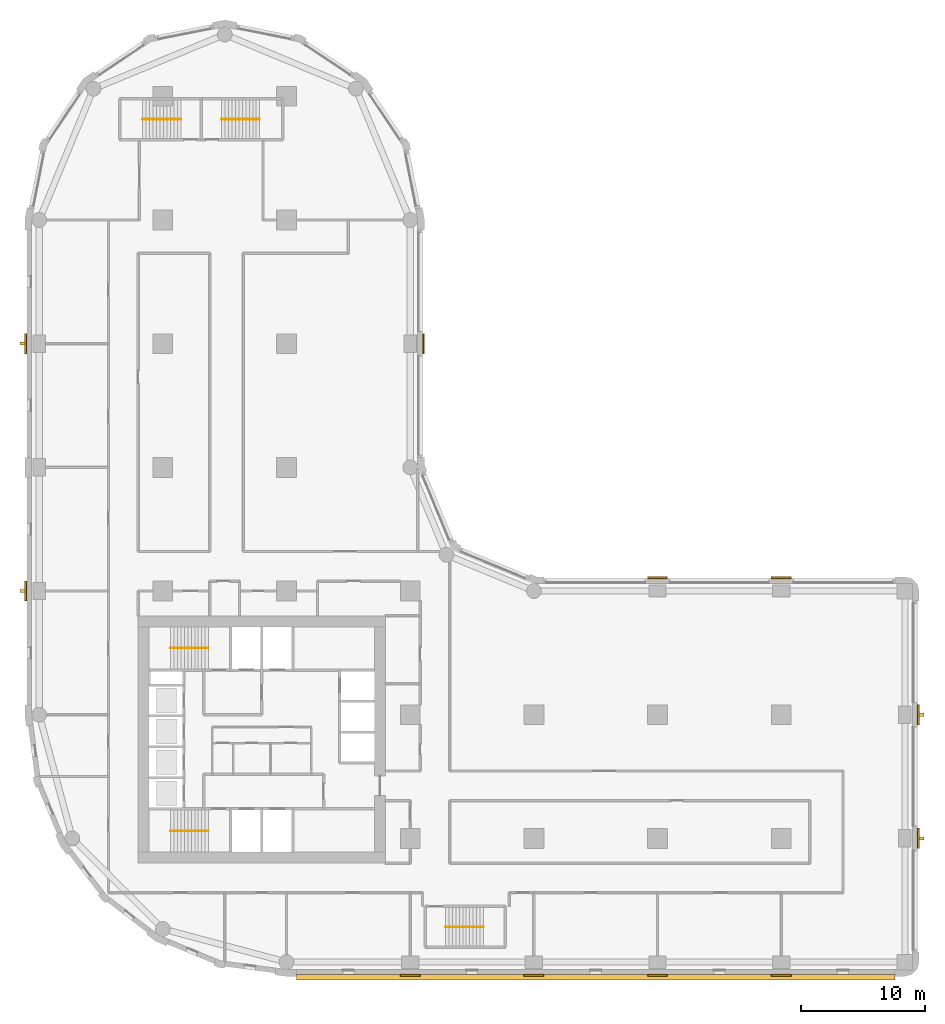
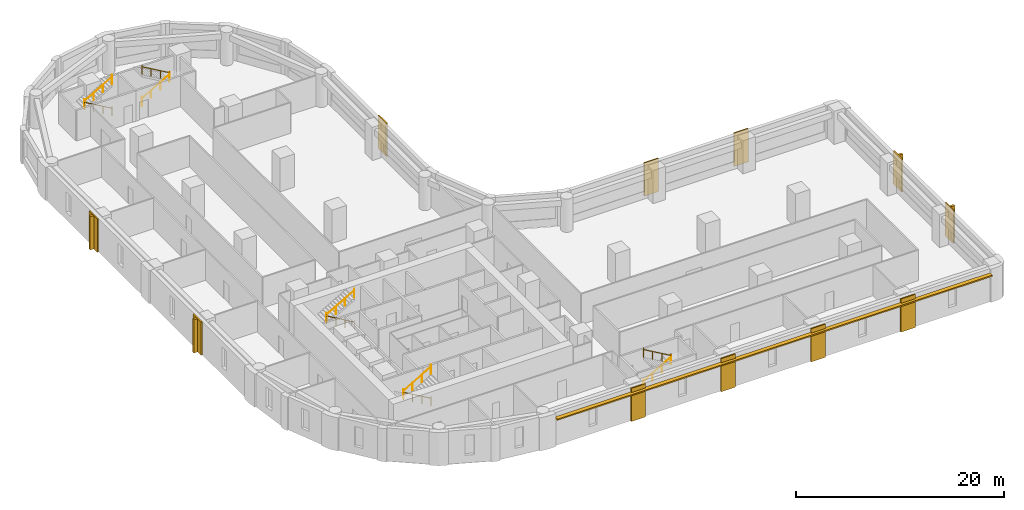
# One storey, part 9 of 10: 11 coverings, 10 railings, 5 shading devices.
"""IFC4 building model written with IfcOpenShell, lengths in metres."""

from ifc_helpers import new_model, si_unit, direction, frame, origin, origin_2d, place, context, subcontext, project, spatial, polyline, rectangle, circle, outline, extrude, material, layer, layer_set, type_object, element, save


model = new_model("IFC4")

# Units and contexts
model_context = context("Model", 3, precision=1e-05, world=origin(), true_north=direction((0.0, 1.0)))
body_context = subcontext(model_context, "Body", "Model", "MODEL_VIEW")
ifc_project = project(units=[si_unit("LENGTHUNIT", "METRE"), si_unit("AREAUNIT", "SQUARE_METRE"), si_unit("VOLUMEUNIT", "CUBIC_METRE"), si_unit("PLANEANGLEUNIT", "RADIAN"), si_unit("MASSUNIT", "GRAM", prefix="KILO")], contexts=[model_context])

# Site, building, storey
site_placement = place(None, origin())
site = spatial("IfcSite", under=ifc_project, at=site_placement, CompositionType="ELEMENT")
building_placement = place(site_placement, origin())
building = spatial("IfcBuilding", under=site, at=building_placement, Name="Qaws Garden Tower", CompositionType="ELEMENT")
storey_placement = place(building_placement, frame((0.0, 0.0, 51.0)))
storey = spatial("IfcBuildingStorey", under=building, at=storey_placement, Name="L12", CompositionType="ELEMENT", Elevation=51.0)

# Coverings
ifc_material_1 = material(Name="Clay facing brick masonry", Category="masonry")
ifc_layer_1 = layer(ifc_material_1, 0.14990234375)
ifc_layer_set_1 = layer_set([ifc_layer_1], Name="Clay facing brick masonry")
covering_type = type_object("IfcCoveringType", Name="Brick pilaster facing 150 x 1600", PredefinedType="CLADDING", material=ifc_layer_set_1)
placement = place(storey_placement, origin())
element("IfcCovering", 1, at=placement, inside=storey, type_object=covering_type, Name="E-L12-pier-01", PredefinedType="CLADDING", context=body_context, shape_type="SweptSolid", body=[
    extrude(outline(polyline([(29.199951171875, -1.0), (30.800048828125, -1.0), (30.800048828125, -1.14990234375), (29.199951171875, -1.14990234375), (29.199951171875, -1.0)])), origin(), (0.0, 0.0, 1.0), 3.89990234375),
])
element("IfcCovering", 2, at=placement, inside=storey, type_object=covering_type, Name="E-L12-pier-02", PredefinedType="CLADDING", context=body_context, shape_type="SweptSolid", body=[
    extrude(outline(polyline([(39.199951171875, -1.0), (40.800048828125, -1.0), (40.800048828125, -1.14990234375), (39.199951171875, -1.14990234375), (39.199951171875, -1.0)])), origin(), (0.0, 0.0, 1.0), 3.89990234375),
])
element("IfcCovering", 3, at=placement, inside=storey, type_object=covering_type, Name="E-L12-pier-03", PredefinedType="CLADDING", context=body_context, shape_type="SweptSolid", body=[
    extrude(outline(polyline([(49.199951171875, -1.0), (50.800048828125, -1.0), (50.800048828125, -1.14990234375), (49.199951171875, -1.14990234375), (49.199951171875, -1.0)])), origin(), (0.0, 0.0, 1.0), 3.89990234375),
])
element("IfcCovering", 4, at=placement, inside=storey, type_object=covering_type, Name="E-L12-pier-04", PredefinedType="CLADDING", context=body_context, shape_type="SweptSolid", body=[
    extrude(outline(polyline([(59.199951171875, -1.0), (60.800048828125, -1.0), (60.800048828125, -1.14990234375), (59.199951171875, -1.14990234375), (59.199951171875, -1.0)])), origin(), (0.0, 0.0, 1.0), 3.89990234375),
])
element("IfcCovering", 5, at=placement, inside=storey, type_object=covering_type, Name="E-L12-pier-06", PredefinedType="CLADDING", context=body_context, shape_type="SweptSolid", body=[
    extrude(outline(polyline([(71.0, 9.199951171875), (71.0, 10.800048828125), (71.14990234375, 10.800048828125), (71.14990234375, 9.199951171875), (71.0, 9.199951171875)])), origin(), (0.0, 0.0, 1.0), 3.89990234375),
])
element("IfcCovering", 6, at=placement, inside=storey, type_object=covering_type, Name="E-L12-pier-07", PredefinedType="CLADDING", context=body_context, shape_type="SweptSolid", body=[
    extrude(outline(polyline([(71.0, 19.199951171875), (71.0, 20.800048828125), (71.14990234375, 20.800048828125), (71.14990234375, 19.199951171875), (71.0, 19.199951171875)])), origin(), (0.0, 0.0, 1.0), 3.89990234375),
])
element("IfcCovering", 7, at=placement, inside=storey, type_object=covering_type, Name="E-L12-pier-09", PredefinedType="CLADDING", context=body_context, shape_type="SweptSolid", body=[
    extrude(outline(polyline([(60.800048828125, 31.0), (59.199951171875, 31.0), (59.199951171875, 31.14990234375), (60.800048828125, 31.14990234375), (60.800048828125, 31.0)])), origin(), (0.0, 0.0, 1.0), 3.89990234375),
])
element("IfcCovering", 8, at=placement, inside=storey, type_object=covering_type, Name="E-L12-pier-10", PredefinedType="CLADDING", context=body_context, shape_type="SweptSolid", body=[
    extrude(outline(polyline([(50.800048828125, 31.0), (49.199951171875, 31.0), (49.199951171875, 31.14990234375), (50.800048828125, 31.14990234375), (50.800048828125, 31.0)])), origin(), (0.0, 0.0, 1.0), 3.89990234375),
])
element("IfcCovering", 9, at=placement, inside=storey, type_object=covering_type, Name="E-L12-pier-14", PredefinedType="CLADDING", context=body_context, shape_type="SweptSolid", body=[
    extrude(outline(polyline([(31.0, 49.199951171875), (31.0, 50.800048828125), (31.14990234375, 50.800048828125), (31.14990234375, 49.199951171875), (31.0, 49.199951171875)])), origin(), (0.0, 0.0, 1.0), 3.89990234375),
])
element("IfcCovering", 10, at=placement, inside=storey, type_object=covering_type, Name="E-L12-pier-24", PredefinedType="CLADDING", context=body_context, shape_type="SweptSolid", body=[
    extrude(outline(polyline([(-1.0, 50.800048828125), (-1.0, 49.199951171875), (-1.14990234375, 49.199951171875), (-1.14990234375, 50.800048828125), (-1.0, 50.800048828125)])), origin(), (0.0, 0.0, 1.0), 3.89990234375),
])
element("IfcCovering", 11, at=placement, inside=storey, type_object=covering_type, Name="E-L12-pier-26", PredefinedType="CLADDING", context=body_context, shape_type="SweptSolid", body=[
    extrude(outline(polyline([(-1.0, 30.800048828125), (-1.0, 29.199951171875), (-1.14990234375, 29.199951171875), (-1.14990234375, 30.800048828125), (-1.0, 30.800048828125)])), origin(), (0.0, 0.0, 1.0), 3.89990234375),
])

# Shading devices
ifc_material_2 = material(Name="Clay facing brick masonry", Category="masonry")
ifc_layer_2 = layer(ifc_material_2, 0.14990234375)
ifc_layer_set_2 = layer_set([ifc_layer_2], Name="Clay facing brick masonry")
shading_device_type_1 = type_object("IfcShadingDeviceType", Name="Brick sunshade band 450 x 150", PredefinedType="JALOUSIE", material=ifc_layer_set_2)
shading_device_placement = place(storey_placement, frame((0.0, 0.0, 3.25)))
element("IfcShadingDevice", 12, at=shading_device_placement, inside=storey, type_object=shading_device_type_1, Name="SUNSHADE 00", PredefinedType="JALOUSIE", context=body_context, shape_type="SweptSolid", body=[
    extrude(outline(polyline([(20.800048828125, -1.0), (20.800048828125, -1.449951171875), (69.199951171875, -1.449951171875), (69.199951171875, -1.0), (60.800048828125, -1.0), (60.800048828125, -1.14990234375), (59.199951171875, -1.14990234375), (59.199951171875, -1.0), (50.800048828125, -1.0), (50.800048828125, -1.14990234375), (49.199951171875, -1.14990234375), (49.199951171875, -1.0), (40.800048828125, -1.0), (40.800048828125, -1.14990234375), (39.199951171875, -1.14990234375), (39.199951171875, -1.0), (30.800048828125, -1.0), (30.800048828125, -1.14990234375), (29.199951171875, -1.14990234375), (29.199951171875, -1.0), (20.800048828125, -1.0)])), origin(), (0.0, 0.0, 1.0), 0.14990234375),
])
ifc_material_3 = material(Name="Clay facing brick masonry", Category="masonry")
ifc_layer_3 = layer(ifc_material_3, 0.25)
ifc_layer_set_3 = layer_set([ifc_layer_3], Name="Clay facing brick masonry")
shading_device_type_2 = type_object("IfcShadingDeviceType", Name="Brick-faced fin 250 x 400", PredefinedType="USERDEFINED", material=ifc_layer_set_3)
for number, where, z_axis, x_axis, name in (
    (13, (71.35009765625, 10.0, 0.0), (0.0, 0.0, 1.0), (0.0, 1.0, 0.0), "FIN 06"),
    (14, (71.35009765625, 20.0, 0.0), (0.0, 0.0, 1.0), (0.0, 1.0, 0.0), "FIN 07"),
    (15, (-1.35009765625, 50.0, 0.0), (0.0, 0.0, 1.0), (0.0, -1.0, 0.0), "FIN 24"),
    (16, (-1.35009765625, 30.0, 0.0), (0.0, 0.0, 1.0), (0.0, -1.0, 0.0), "FIN 26"),
):
    element("IfcShadingDevice", number, at=place(storey_placement, frame(where, z_axis=z_axis, x_axis=x_axis)), inside=storey, type_object=shading_device_type_2, Name=name, ObjectType="FIN", PredefinedType="USERDEFINED", context=body_context, shape_type="SweptSolid", body=[
        extrude(rectangle(XDim=0.25, YDim=0.39990234375, at=origin_2d()), origin(), (0.0, 0.0, 1.0), 3.89990234375),
    ])

# Railings
ifc_material_4 = material(Name="Steel S355", Category="steel")
railing_type = type_object("IfcRailingType", Name="Stair handrail 900", PredefinedType="HANDRAIL", material=ifc_material_4)
railing_1_placement = place(storey_placement, frame((13.699951171875, 10.60009765625, 0.16259765625)))
element("IfcRailing", 17, at=railing_1_placement, inside=storey, type_object=railing_type, Name="Stair 1 handrail", PredefinedType="HANDRAIL", context=body_context, shape_type="SweptSolid", body=[
    extrude(circle(Radius=0.02392578125, at=origin_2d()), frame((0.0, 0.0, 0.8759765625), z_axis=(-0.864903211148, 0.0, 0.501938676878), x_axis=(0.0, -1.0, 0.0)), (0.0, 0.0, 1.0), 3.560791015625),
    extrude(circle(Radius=0.02099609375, at=origin_2d()), origin(), (0.0, 0.0, 1.0), 1.06201171875),
    extrude(circle(Radius=0.02099609375, at=origin_2d()), frame((-1.026611328125, 0.0, 0.595703125)), (0.0, 0.0, 1.0), 0.851806640625),
    extrude(circle(Radius=0.02099609375, at=origin_2d()), frame((-2.05322265625, 0.0, 1.191650390625)), (0.0, 0.0, 1.0), 0.851806640625),
    extrude(circle(Radius=0.02099609375, at=origin_2d()), frame((-3.079833984375, 0.0, 1.787353515625)), (0.0, 0.0, 1.0), 1.06201171875),
])
railing_2_placement = place(storey_placement, frame((10.6201171875, 10.60009765625, 2.112548828125)))
element("IfcRailing", 18, at=railing_2_placement, inside=storey, type_object=railing_type, Name="Stair 1 handrail", PredefinedType="HANDRAIL", context=body_context, shape_type="SweptSolid", body=[
    extrude(circle(Radius=0.02392578125, at=origin_2d()), frame((0.0, 0.0, 0.8759765625), z_axis=(0.864903211148, 0.0, 0.501938676878), x_axis=(0.0, 1.0, 0.0)), (0.0, 0.0, 1.0), 3.560791015625),
    extrude(circle(Radius=0.02099609375, at=origin_2d()), origin(), (0.0, 0.0, 1.0), 1.06201171875),
    extrude(circle(Radius=0.02099609375, at=origin_2d()), frame((1.026611328125, 0.0, 0.595703125)), (0.0, 0.0, 1.0), 0.851806640625),
    extrude(circle(Radius=0.02099609375, at=origin_2d()), frame((2.05322265625, 0.0, 1.191650390625)), (0.0, 0.0, 1.0), 0.851806640625),
    extrude(circle(Radius=0.02099609375, at=origin_2d()), frame((3.079833984375, 0.0, 1.787353515625)), (0.0, 0.0, 1.0), 1.06201171875),
])
railing_3_placement = place(storey_placement, frame((13.699951171875, 25.39990234375, 0.16259765625)))
element("IfcRailing", 19, at=railing_3_placement, inside=storey, type_object=railing_type, Name="Stair 4 handrail", PredefinedType="HANDRAIL", context=body_context, shape_type="SweptSolid", body=[
    extrude(circle(Radius=0.02392578125, at=origin_2d()), frame((0.0, 0.0, 0.8759765625), z_axis=(-0.864903211148, 0.0, 0.501938676878), x_axis=(0.0, -1.0, 0.0)), (0.0, 0.0, 1.0), 3.560791015625),
    extrude(circle(Radius=0.02099609375, at=origin_2d()), origin(), (0.0, 0.0, 1.0), 1.06201171875),
    extrude(circle(Radius=0.02099609375, at=origin_2d()), frame((-1.026611328125, 0.0, 0.595703125)), (0.0, 0.0, 1.0), 0.851806640625),
    extrude(circle(Radius=0.02099609375, at=origin_2d()), frame((-2.05322265625, 0.0, 1.191650390625)), (0.0, 0.0, 1.0), 0.851806640625),
    extrude(circle(Radius=0.02099609375, at=origin_2d()), frame((-3.079833984375, 0.0, 1.787353515625)), (0.0, 0.0, 1.0), 1.06201171875),
])
for number, where, name in (
    (20, (10.6201171875, 25.39990234375, 2.112548828125), "Stair 4 handrail"),
    (21, (32.85009765625, 2.85009765625, 0.16259765625), "Stair 5 handrail"),
):
    element("IfcRailing", number, at=place(storey_placement, frame(where)), inside=storey, type_object=railing_type, Name=name, PredefinedType="HANDRAIL", context=body_context, shape_type="SweptSolid", body=[
        extrude(circle(Radius=0.02392578125, at=origin_2d()), frame((0.0, 0.0, 0.8759765625), z_axis=(0.864903211148, 0.0, 0.501938676878), x_axis=(0.0, 1.0, 0.0)), (0.0, 0.0, 1.0), 3.560791015625),
        extrude(circle(Radius=0.02099609375, at=origin_2d()), origin(), (0.0, 0.0, 1.0), 1.06201171875),
        extrude(circle(Radius=0.02099609375, at=origin_2d()), frame((1.026611328125, 0.0, 0.595703125)), (0.0, 0.0, 1.0), 0.851806640625),
        extrude(circle(Radius=0.02099609375, at=origin_2d()), frame((2.05322265625, 0.0, 1.191650390625)), (0.0, 0.0, 1.0), 0.851806640625),
        extrude(circle(Radius=0.02099609375, at=origin_2d()), frame((3.079833984375, 0.0, 1.787353515625)), (0.0, 0.0, 1.0), 1.06201171875),
    ])
for number, where, name in (
    (22, (35.929931640625, 2.85009765625, 2.112548828125), "Stair 5 handrail"),
    (23, (11.449951171875, 68.14990234375, 0.16259765625), "Stair 6 handrail"),
):
    element("IfcRailing", number, at=place(storey_placement, frame(where)), inside=storey, type_object=railing_type, Name=name, PredefinedType="HANDRAIL", context=body_context, shape_type="SweptSolid", body=[
        extrude(circle(Radius=0.02392578125, at=origin_2d()), frame((0.0, 0.0, 0.8759765625), z_axis=(-0.864903211148, 0.0, 0.501938676878), x_axis=(0.0, -1.0, 0.0)), (0.0, 0.0, 1.0), 3.560791015625),
        extrude(circle(Radius=0.02099609375, at=origin_2d()), origin(), (0.0, 0.0, 1.0), 1.06201171875),
        extrude(circle(Radius=0.02099609375, at=origin_2d()), frame((-1.026611328125, 0.0, 0.595703125)), (0.0, 0.0, 1.0), 0.851806640625),
        extrude(circle(Radius=0.02099609375, at=origin_2d()), frame((-2.05322265625, 0.0, 1.191650390625)), (0.0, 0.0, 1.0), 0.851806640625),
        extrude(circle(Radius=0.02099609375, at=origin_2d()), frame((-3.079833984375, 0.0, 1.787353515625)), (0.0, 0.0, 1.0), 1.06201171875),
    ])
railing_4_placement = place(storey_placement, frame((8.3701171875, 68.14990234375, 2.112548828125)))
element("IfcRailing", 24, at=railing_4_placement, inside=storey, type_object=railing_type, Name="Stair 6 handrail", PredefinedType="HANDRAIL", context=body_context, shape_type="SweptSolid", body=[
    extrude(circle(Radius=0.02392578125, at=origin_2d()), frame((0.0, 0.0, 0.8759765625), z_axis=(0.864903211148, 0.0, 0.501938676878), x_axis=(0.0, 1.0, 0.0)), (0.0, 0.0, 1.0), 3.560791015625),
    extrude(circle(Radius=0.02099609375, at=origin_2d()), origin(), (0.0, 0.0, 1.0), 1.06201171875),
    extrude(circle(Radius=0.02099609375, at=origin_2d()), frame((1.026611328125, 0.0, 0.595703125)), (0.0, 0.0, 1.0), 0.851806640625),
    extrude(circle(Radius=0.02099609375, at=origin_2d()), frame((2.05322265625, 0.0, 1.191650390625)), (0.0, 0.0, 1.0), 0.851806640625),
    extrude(circle(Radius=0.02099609375, at=origin_2d()), frame((3.079833984375, 0.0, 1.787353515625)), (0.0, 0.0, 1.0), 1.06201171875),
])
railing_5_placement = place(storey_placement, frame((14.75, 68.14990234375, 0.16259765625)))
element("IfcRailing", 25, at=railing_5_placement, inside=storey, type_object=railing_type, Name="Stair 7 handrail", PredefinedType="HANDRAIL", context=body_context, shape_type="SweptSolid", body=[
    extrude(circle(Radius=0.02392578125, at=origin_2d()), frame((0.0, 0.0, 0.8759765625), z_axis=(0.864920483161, 0.0, 0.501908913857), x_axis=(0.0, 1.0, 0.0)), (0.0, 0.0, 1.0), 3.56103515625),
    extrude(circle(Radius=0.02099609375, at=origin_2d()), origin(), (0.0, 0.0, 1.0), 1.06201171875),
    extrude(circle(Radius=0.02099609375, at=origin_2d()), frame((1.026611328125, 0.0, 0.595703125)), (0.0, 0.0, 1.0), 0.851806640625),
    extrude(circle(Radius=0.02099609375, at=origin_2d()), frame((2.053466796875, 0.0, 1.191650390625)), (0.0, 0.0, 1.0), 0.851806640625),
    extrude(circle(Radius=0.02099609375, at=origin_2d()), frame((3.080078125, 0.0, 1.787353515625)), (0.0, 0.0, 1.0), 1.06201171875),
])
railing_6_placement = place(storey_placement, frame((17.830078125, 68.14990234375, 2.112548828125)))
element("IfcRailing", 26, at=railing_6_placement, inside=storey, type_object=railing_type, Name="Stair 7 handrail", PredefinedType="HANDRAIL", context=body_context, shape_type="SweptSolid", body=[
    extrude(circle(Radius=0.02392578125, at=origin_2d()), frame((0.0, 0.0, 0.8759765625), z_axis=(-0.864920483161, 0.0, 0.501908913857), x_axis=(0.0, -1.0, 0.0)), (0.0, 0.0, 1.0), 3.56103515625),
    extrude(circle(Radius=0.02099609375, at=origin_2d()), origin(), (0.0, 0.0, 1.0), 1.06201171875),
    extrude(circle(Radius=0.02099609375, at=origin_2d()), frame((-1.026611328125, 0.0, 0.595703125)), (0.0, 0.0, 1.0), 0.851806640625),
    extrude(circle(Radius=0.02099609375, at=origin_2d()), frame((-2.053466796875, 0.0, 1.191650390625)), (0.0, 0.0, 1.0), 0.851806640625),
    extrude(circle(Radius=0.02099609375, at=origin_2d()), frame((-3.080078125, 0.0, 1.787353515625)), (0.0, 0.0, 1.0), 1.06201171875),
])

save(model, "model.ifc")
